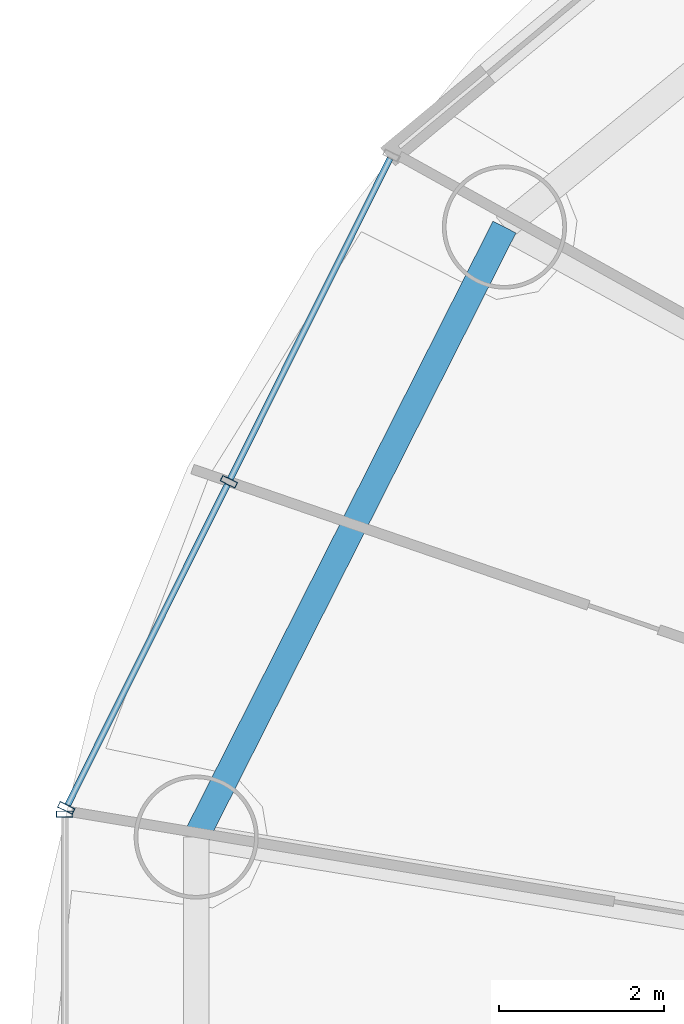
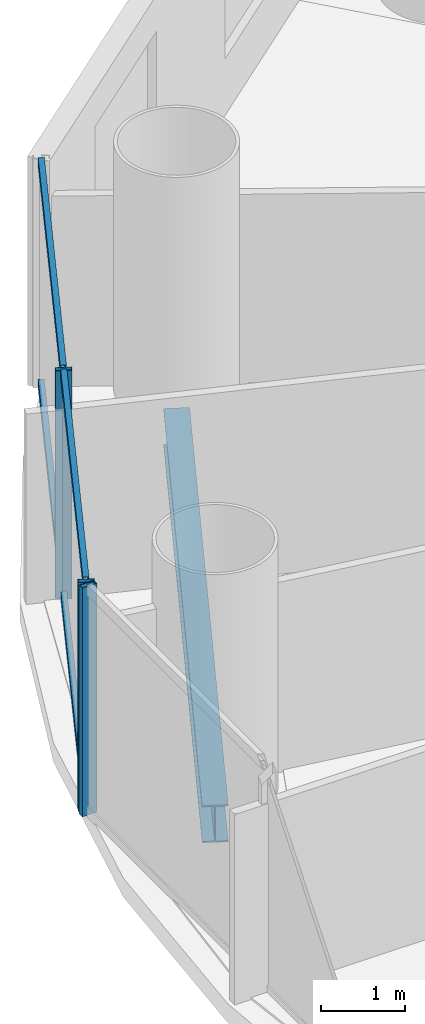
# One storey, part 9 of 29: 7 members, 1 beam, 2 elements without a shape of their own.
"""IFC4 building model written with IfcOpenShell, lengths in metres."""

from ifc_helpers import new_model, si_unit, direction, frame, origin, origin_2d, place, context, subcontext, project, spatial, hollow_rectangle, i_section, extrude, source, transform, mapped, material, material_profile, profile_set, type_object, element, aggregate, save


model = new_model("IFC4")

# Units and contexts
model_context = context("Model", 3, precision=1e-05, world=origin(), true_north=direction((-0.2419218956, 0.970295726276)))
body_context = subcontext(model_context, "Body", "Model", "MODEL_VIEW")
ifc_project = project(units=[si_unit("LENGTHUNIT", "METRE"), si_unit("AREAUNIT", "SQUARE_METRE"), si_unit("VOLUMEUNIT", "CUBIC_METRE"), si_unit("PLANEANGLEUNIT", "RADIAN"), si_unit("MASSUNIT", "GRAM", prefix="KILO")], contexts=[model_context])

# Site, building, storey
site_placement = place(None, origin())
site = spatial("IfcSite", under=ifc_project, at=site_placement, CompositionType="ELEMENT")
building_placement = place(site_placement, origin())
building = spatial("IfcBuilding", under=site, at=building_placement, Name="Cobrevalo Terracotta Tower", CompositionType="ELEMENT")
storey_placement = place(building_placement, frame((0.0, 0.0, 112.199951171875)))
storey = spatial("IfcBuildingStorey", under=building, at=storey_placement, Name="L29", CompositionType="ELEMENT", Elevation=112.199951171875)

# Beam
ifc_material_1 = material(Name="Steel S355", Category="steel")
ifc_material_profile_1 = material_profile(ifc_material_1, i_section(OverallWidth=0.31201171875, OverallDepth=0.54296875, WebThickness=0.0126953125, FlangeThickness=0.020263671875, at=origin_2d()), Name="W 530x150")
ifc_profile_set_1 = profile_set([ifc_material_profile_1], Name="Steel S355")
beam_type = type_object("IfcBeamType", Name="Structural Spandrel W 530x150 (Steel S355)", PredefinedType="SPANDREL", material=ifc_profile_set_1)
beam_placement = place(storey_placement, frame((17.2548828125, 38.161376953125, -0.54638671875), z_axis=(-0.451051982172, -0.892497680321, 0.0), x_axis=(0.892497680321, -0.451051982172, 0.0)))
element("IfcBeam", 1, at=beam_placement, inside=storey, type_object=beam_type, Name="L29 perimeter ring spandrel 07", PredefinedType="SPANDREL", context=body_context, shape_type="SweptSolid", body=[
    extrude(i_section(OverallWidth=0.31201171875, OverallDepth=0.54296875, WebThickness=0.0126953125, FlangeThickness=0.020263671875, at=origin_2d()), origin(), (0.0, 0.0, 1.0), 8.259765625),
])

# Curtain wall, members
ifc_material_2 = material(Name="Anodized aluminium", Category="aluminium")
curtain_wall_type = type_object("IfcCurtainWallType", Name="Lower-tower unitised acoustic low-E curtain wall CW-U1", PredefinedType="NOTDEFINED", material=ifc_material_2)
curtain_wall_1_placement = place(storey_placement, origin())
curtain_wall_1 = element("IfcCurtainWall", 2, at=curtain_wall_1_placement, inside=storey, type_object=curtain_wall_type, Name="L29 curtain wall CW-L29-S07", PredefinedType="NOTDEFINED")
ifc_material_profile_2 = material_profile(ifc_material_2, hollow_rectangle(XDim=0.074951171875, YDim=0.199951171875, WallThickness=0.0048828125, at=origin_2d()), Name="CWM 75x200")
ifc_profile_set_2 = profile_set([ifc_material_profile_2], Name="Anodized aluminium")
member_type_1 = type_object("IfcMemberType", Name="Lower/mid tower unitised mullion 75x200", PredefinedType="MULLION", material=ifc_profile_set_2)
shared_shape_1 = source(origin(), body_context, "Body", "SweptSolid", [
    extrude(hollow_rectangle(XDim=0.074951171875, YDim=0.199951171875, WallThickness=0.0048828125, at=origin_2d()), origin(), (0.0, 0.0, 1.0), 3.324951171875),
])
member_1_placement = place(storey_placement, frame((13.924072265625, 35.08349609375, 0.0), z_axis=(0.0, 0.0, 1.0), x_axis=(-0.446260290227, -0.894903208937, 0.0)))
member_1 = element("IfcMember", 3, at=member_1_placement, type_object=member_type_1, Name="CW-L29-S07 vertical mullion 02", PredefinedType="MULLION", context=body_context, shape_type="MappedRepresentation", body=[
    mapped(shared_shape_1, transform((0.0, 0.0, 0.0), scale=1.0)),
])
member_2_placement = place(storey_placement, frame((11.95849609375, 31.141357421875, 0.0), z_axis=(0.0, 0.0, 1.0), x_axis=(-0.446260290227, -0.894903208937, 0.0)))
member_2 = element("IfcMember", 4, at=member_2_placement, type_object=member_type_1, Name="CW-L29-S07 vertical mullion 03", PredefinedType="MULLION", context=body_context, shape_type="MappedRepresentation", body=[
    mapped(shared_shape_1, transform((0.0, 0.0, 0.0), scale=1.0)),
])

# Curtain wall, member
curtain_wall_2_placement = place(storey_placement, origin())
curtain_wall_2 = element("IfcCurtainWall", 5, at=curtain_wall_2_placement, inside=storey, type_object=curtain_wall_type, Name="L29 curtain wall CW-L29-S08", PredefinedType="NOTDEFINED")
member_3_placement = place(storey_placement, frame((11.9404296875, 31.065673828125, 0.0), z_axis=(0.0, 0.0, 1.0), x_axis=(0.0, -1.0, 0.0)))
member_3 = element("IfcMember", 6, at=member_3_placement, type_object=member_type_1, Name="CW-L29-S08 vertical mullion 01", PredefinedType="MULLION", context=body_context, shape_type="MappedRepresentation", body=[
    mapped(shared_shape_1, transform((0.0, 0.0, 0.0), scale=1.0)),
])
aggregate(curtain_wall_2, [member_3])

# Member
ifc_material_profile_3 = material_profile(ifc_material_2, hollow_rectangle(XDim=0.074951171875, YDim=0.14990234375, WallThickness=0.00439453125, at=origin_2d()), Name="CWT 75x150")
ifc_profile_set_3 = profile_set([ifc_material_profile_3], Name="Anodized aluminium")
member_type_2 = type_object("IfcMemberType", Name="Tower unitised aluminium transom 75x150", PredefinedType="USERDEFINED", material=ifc_profile_set_3)
shared_shape_2 = source(origin(), body_context, "Body", "SweptSolid", [
    extrude(hollow_rectangle(XDim=0.074951171875, YDim=0.14990234375, WallThickness=0.00439453125, at=origin_2d()), origin(), (0.0, 0.0, 1.0), 4.324951171875),
])
member_4_placement = place(storey_placement, frame((15.8720703125, 38.98974609375, 0.050048828125), z_axis=(-0.44624238083, -0.894912139571, 0.0), x_axis=(0.894912139571, -0.44624238083, 0.0)))
member_4 = element("IfcMember", 7, at=member_4_placement, type_object=member_type_2, Name="CW-L29-S07 transom B01-T1", ObjectType="TRANSOM", PredefinedType="USERDEFINED", context=body_context, shape_type="MappedRepresentation", body=[
    mapped(shared_shape_2, transform((0.0, 0.0, 0.0), scale=1.0)),
])

member_5_placement = place(storey_placement, frame((15.8720703125, 38.98974609375, 3.275146484375), z_axis=(-0.44624238083, -0.894912139571, 0.0), x_axis=(0.894912139571, -0.44624238083, 0.0)))
member_5 = element("IfcMember", 8, at=member_5_placement, type_object=member_type_2, Name="CW-L29-S07 transom B01-T2", ObjectType="TRANSOM", PredefinedType="USERDEFINED", context=body_context, shape_type="MappedRepresentation", body=[
    mapped(shared_shape_2, transform((0.0, 0.0, 0.0), scale=1.0)),
])

member_6_placement = place(storey_placement, frame((13.90625, 35.0478515625, 0.050048828125), z_axis=(-0.446219838389, -0.894923379864, 0.0), x_axis=(0.894923379864, -0.446219838389, 0.0)))
member_6 = element("IfcMember", 9, at=member_6_placement, type_object=member_type_2, Name="CW-L29-S07 transom B02-T1", ObjectType="TRANSOM", PredefinedType="USERDEFINED", context=body_context, shape_type="MappedRepresentation", body=[
    mapped(shared_shape_2, transform((0.0, 0.0, 0.0), scale=1.0)),
])

member_7_placement = place(storey_placement, frame((13.90625, 35.0478515625, 3.275146484375), z_axis=(-0.446219838389, -0.894923379864, 0.0), x_axis=(0.894923379864, -0.446219838389, 0.0)))
member_7 = element("IfcMember", 10, at=member_7_placement, type_object=member_type_2, Name="CW-L29-S07 transom B02-T2", ObjectType="TRANSOM", PredefinedType="USERDEFINED", context=body_context, shape_type="MappedRepresentation", body=[
    mapped(shared_shape_2, transform((0.0, 0.0, 0.0), scale=1.0)),
])

aggregate(curtain_wall_1, [member_1, member_2, member_4, member_5, member_6, member_7])

save(model, "model.ifc")
